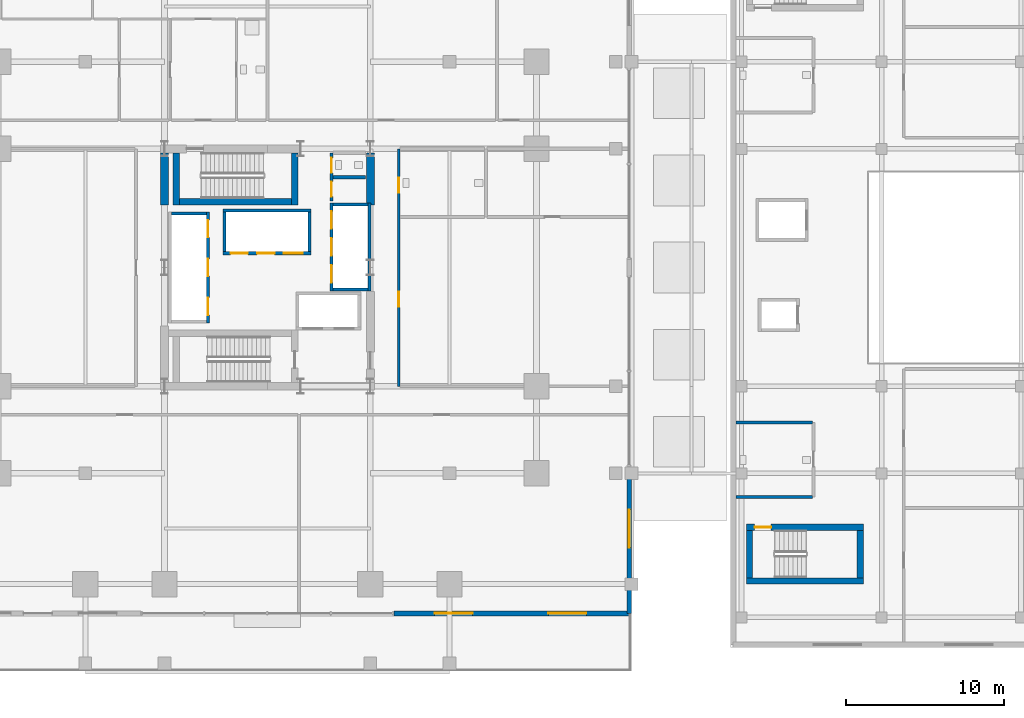
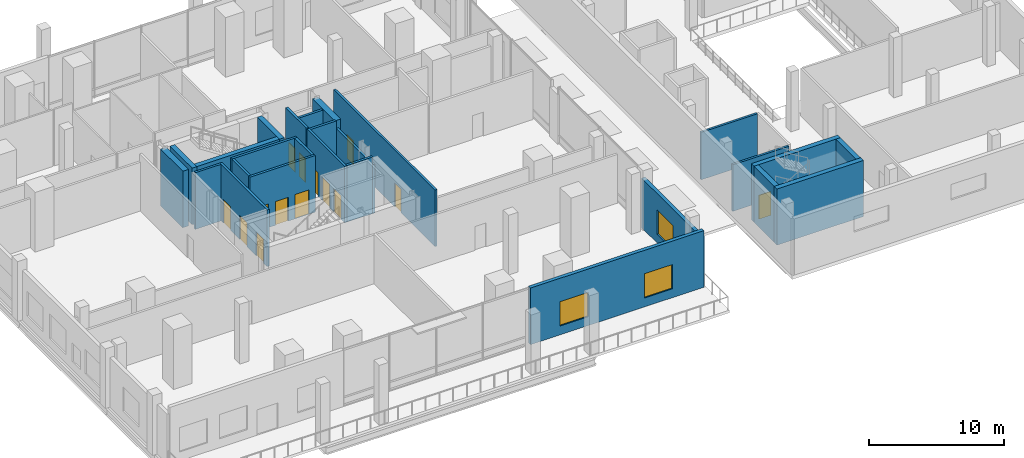
# One storey, part 26 of 36: 26 walls, 14 doors, 3 windows, 17 openings.
"""IFC4 building model written with IfcOpenShell, lengths in metres."""

import ifcopenshell
import ifcopenshell.guid

model = None  # the IFC model being written
_history = None  # IfcOwnerHistory: only IFC2X3 demands one
_inside = {}  # id of a spatial element -> (the spatial element, [elements in it])
_under = {}  # id of a project, library or spatial element -> (it, [spatial elements below it])
_declared = {}  # id of a project -> (the project, [libraries it declares])
_typed = {}  # id of a type object -> (the type object, [elements of that type])
_made_of = {}  # id of a material, layer set ... -> (it, [elements and type objects made of it])


def new_model(schema):
    """Start an empty IFC model of exactly this schema.

    Asked for "IFC4X3", IfcOpenShell would pick the latest addendum, in which some entities
    have other attributes; the version numbers below select the first issue.
    IFC2X3 requires an IfcOwnerHistory on every rooted entity: one is made here for all.
    """
    global model, _history
    if schema == "IFC4X3":
        model = ifcopenshell.file(schema_version=(4, 3, 0, 0))
    else:
        model = ifcopenshell.file(schema=schema)
    _inside.clear()
    _under.clear()
    _declared.clear()
    _typed.clear()
    _made_of.clear()
    _history = None
    if model.schema == "IFC2X3":
        org = make("IfcOrganization", Name="unknown")
        user = make(
            "IfcPersonAndOrganization",
            ThePerson=make("IfcPerson", FamilyName="unknown"),
            TheOrganization=org,
        )
        app = make(
            "IfcApplication",
            ApplicationDeveloper=org,
            Version="unknown",
            ApplicationFullName="unknown",
            ApplicationIdentifier="unknown",
        )
        _history = make(
            "IfcOwnerHistory",
            OwningUser=user,
            OwningApplication=app,
            ChangeAction="ADDED",
            CreationDate=0,
        )
    return model


def make(cls, **values):
    """One entity of the class cls with the attributes given. An attribute that is None is left unset."""
    return model.create_entity(
        cls, **{name: value for name, value in values.items() if value is not None}
    )


def rooted(cls, **values):
    """An entity with a GlobalId (a new one), such as an element, a storey or a relation."""
    return make(cls, GlobalId=ifcopenshell.guid.new(), OwnerHistory=_history, **values)


def si_unit(unit_type, name, prefix=None):
    """IfcSIUnit, for example si_unit("LENGTHUNIT", "METRE", prefix="MILLI")."""
    return make("IfcSIUnit", UnitType=unit_type, Prefix=prefix, Name=name)


def assignment(units):
    """IfcUnitAssignment: the units of a project."""
    return None if units is None else make("IfcUnitAssignment", Units=units)


def point(xyz):
    """IfcCartesianPoint."""
    return None if xyz is None else make("IfcCartesianPoint", Coordinates=xyz)


def direction(xyz):
    """IfcDirection."""
    return None if xyz is None else make("IfcDirection", DirectionRatios=xyz)


def frame(location, z_axis=None, x_axis=None):
    """IfcAxis2Placement3D, a coordinate frame: its origin and axes. An axis left out is left unset."""
    return make(
        "IfcAxis2Placement3D",
        Location=point(location),
        Axis=direction(z_axis),
        RefDirection=direction(x_axis),
    )


def frame_2d(location, x_axis=None):
    """IfcAxis2Placement2D, a coordinate frame in the plane: its origin and x axis."""
    return make(
        "IfcAxis2Placement2D", Location=point(location), RefDirection=direction(x_axis)
    )


def origin():
    """The frame at (0, 0, 0) with its axes left unset."""
    return frame((0.0, 0.0, 0.0))


def place(relative_to, where):
    """IfcLocalPlacement: puts the frame where relative to a parent placement (None: the world)."""
    return make(
        "IfcLocalPlacement", PlacementRelTo=relative_to, RelativePlacement=where
    )


def context(
    kind, dimensions, precision=None, world=None, true_north=None, identifier=None
):
    """IfcGeometricRepresentationContext, for example the 3D "Model" context."""
    return make(
        "IfcGeometricRepresentationContext",
        ContextIdentifier=identifier,
        ContextType=kind,
        CoordinateSpaceDimension=dimensions,
        Precision=precision,
        WorldCoordinateSystem=world,
        TrueNorth=true_north,
    )


def subcontext(parent, identifier, kind, view, scale=None):
    """IfcGeometricRepresentationSubContext, for example "Body" below "Model"."""
    return make(
        "IfcGeometricRepresentationSubContext",
        ContextIdentifier=identifier,
        ContextType=kind,
        ParentContext=parent,
        TargetScale=scale,
        TargetView=view,
    )


def project(units=None, contexts=None):
    """IfcProject with its units and contexts."""
    return rooted(
        "IfcProject",
        Name="project",
        RepresentationContexts=contexts,
        UnitsInContext=assignment(units),
    )


def spatial(cls, under=None, at=None, **own):
    """A site, building, storey or space (cls), placed at a placement, below another one or the project."""
    s = rooted(cls, ObjectPlacement=at, **own)
    if under is not None:
        _under.setdefault(under.id(), (under, []))[1].append(s)
    return s


def profile(cls, at=None, kind="AREA", **sizes):
    """A parametric profile (cls). Its sizes go by their IFC names, for example OverallWidth=200.0."""
    return make(cls, ProfileType=kind, Position=at, **sizes)


def rectangle(**sizes):
    """IfcRectangleProfileDef."""
    return profile("IfcRectangleProfileDef", **sizes)


def extrude(swept, where, along, depth):
    """IfcExtrudedAreaSolid: the profile swept, set in the frame where, extruded along a direction by depth."""
    return make(
        "IfcExtrudedAreaSolid",
        SweptArea=swept,
        Position=where,
        ExtrudedDirection=direction(along),
        Depth=depth,
    )


def shape(context_of_items, identifier, shape_type, items):
    """IfcShapeRepresentation: the items that make up one representation, for example the "Body"."""
    return make(
        "IfcShapeRepresentation",
        ContextOfItems=context_of_items,
        RepresentationIdentifier=identifier,
        RepresentationType=shape_type,
        Items=items,
    )


def material(Name=None, Category=None):
    """IfcMaterial."""
    return make("IfcMaterial", Name=Name, Category=Category)


def layer(
    of_material, thickness, ventilated=None, Name=None, Category=None, Priority=None
):
    """IfcMaterialLayer: one layer of a wall or slab, of a material (None: an air gap)."""
    return make(
        "IfcMaterialLayer",
        Material=of_material,
        LayerThickness=thickness,
        IsVentilated=ventilated,
        Name=Name,
        Category=Category,
        Priority=Priority,
    )


def layer_set(layers, Name=None):
    """IfcMaterialLayerSet."""
    return make("IfcMaterialLayerSet", MaterialLayers=layers, LayerSetName=Name)


def made_of(thing, what):
    """Note that an element or type object is made of a material, layer set ...; save() writes the relation."""
    if what is not None:
        _made_of.setdefault(what.id(), (what, []))[1].append(thing)
    return thing


def type_object(cls, material=None, **own):
    """A type object (cls), such as IfcWallType, which elements share."""
    return made_of(rooted(cls, **own), material)


def element(
    cls,
    number,
    at=None,
    inside=None,
    cuts=None,
    type_object=None,
    material=None,
    context=None,
    identifier="Body",
    shape_type=None,
    held_by="IfcProductDefinitionShape",
    body=None,
    shapes=None,
    **own,
):
    """One element of the class cls, such as IfcWall. Its Tag is "e" and its number.

    at: its placement. inside: the storey or other place that contains it. cuts: it is an
    opening in that element (IfcRelVoidsElement). A single representation is given by context,
    identifier, shape_type and body (its items); several are given by shapes. held_by: the class
    of the entity that holds the representations. save() writes the other relations.
    """
    e = rooted(cls, Tag="e%d" % number, ObjectPlacement=at, **own)
    if body is not None:
        shapes = [shape(context, identifier, shape_type, body)]
    if shapes is not None:
        e.Representation = make(held_by, Representations=shapes)
    if inside is not None:
        _inside.setdefault(inside.id(), (inside, []))[1].append(e)
    if cuts is not None:
        rooted(
            "IfcRelVoidsElement", RelatingBuildingElement=cuts, RelatedOpeningElement=e
        )
    if type_object is not None:
        _typed.setdefault(type_object.id(), (type_object, []))[1].append(e)
    return made_of(e, material)


def fill(opening, filler):
    """IfcRelFillsElement: the door or window that sits in an opening."""
    return rooted(
        "IfcRelFillsElement",
        RelatingOpeningElement=opening,
        RelatedBuildingElement=filler,
    )


def aggregate(whole, parts):
    """IfcRelAggregates: a whole, such as a stair, and the parts it consists of."""
    return rooted("IfcRelAggregates", RelatingObject=whole, RelatedObjects=parts)


def save(model, path):
    """Write the relations noted so far, then the file.

    IfcRelAggregates (storeys below a building ...), IfcRelContainedInSpatialStructure (elements
    in a storey), IfcRelDefinesByType, IfcRelAssociatesMaterial and IfcRelDeclares: one each for
    every whole, place, type object, material and project.
    """
    for whole, parts in _under.values():
        aggregate(whole, parts)
    for where, things in _inside.values():
        rooted(
            "IfcRelContainedInSpatialStructure",
            RelatedElements=things,
            RelatingStructure=where,
        )
    for kind, things in _typed.values():
        rooted("IfcRelDefinesByType", RelatedObjects=things, RelatingType=kind)
    for what, things in _made_of.values():
        rooted("IfcRelAssociatesMaterial", RelatedObjects=things, RelatingMaterial=what)
    for by, libraries in _declared.values():
        rooted("IfcRelDeclares", RelatingContext=by, RelatedDefinitions=libraries)
    model.write(path)


model = new_model("IFC4")

# Units and contexts
model_context = context("Model", 3, precision=1e-05, world=origin(), true_north=direction((0.0, 1.0)))
body_context = subcontext(model_context, "Body", "Model", "MODEL_VIEW")
ifc_project = project(units=[si_unit("LENGTHUNIT", "METRE"), si_unit("AREAUNIT", "SQUARE_METRE"), si_unit("VOLUMEUNIT", "CUBIC_METRE"), si_unit("PLANEANGLEUNIT", "RADIAN"), si_unit("MASSUNIT", "GRAM", prefix="KILO")], contexts=[model_context])

# Site, building, storey
site_placement = place(None, origin())
site = spatial("IfcSite", under=ifc_project, at=site_placement, CompositionType="ELEMENT")
building_placement = place(site_placement, origin())
building = spatial("IfcBuilding", under=site, at=building_placement, Name="Barlavira Tower and Art Museum", CompositionType="ELEMENT")
storey_placement = place(building_placement, frame((0.0, 0.0, 11.39990234375)))
storey = spatial("IfcBuildingStorey", under=building, at=storey_placement, Name="L02", CompositionType="ELEMENT", Elevation=11.39990234375)

# Walls
ifc_material_1 = material(Name="Concrete C60", Category="concrete")
ifc_layer_1 = layer(ifc_material_1, 0.5, Name="Concrete C60")
ifc_layer_set_1 = layer_set([ifc_layer_1], Name="Concrete C60")
wall_type_1 = type_object("IfcWallType", Name="Core Structural Shear Wall 500 Concrete C60", PredefinedType="SHEAR", material=ifc_layer_set_1)
for number, where, z_axis, x_axis, name in (
    (1, (-6.5, 3.949951171875, 0.0), (0.0, 0.0, 1.0), (0.0, 1.0, 0.0), "L02 Core Shear Wall CS-W2"),
    (2, (6.5, 3.949951171875, 0.0), (0.0, 0.0, 1.0), (0.0, 1.0, 0.0), "L02 Core Shear Wall CS-E2"),
):
    element("IfcWall", number, at=place(storey_placement, frame(where, z_axis=z_axis, x_axis=x_axis)), inside=storey, type_object=wall_type_1, Name=name, PredefinedType="SHEAR", context=body_context, shape_type="SweptSolid", body=[
        extrude(rectangle(XDim=3.300048828125, YDim=0.5, at=frame_2d((1.64990234375, 0.0))), origin(), (0.0, 0.0, 1.0), 5.1201171875),
    ])

# Wall, openings, doors
ifc_material_2 = material(Name="Autoclaved aerated concrete masonry", Category="masonry")
ifc_layer_2 = layer(ifc_material_2, 0.199951171875, Name="Autoclaved aerated concrete masonry")
ifc_layer_set_2 = layer_set([ifc_layer_2], Name="Autoclaved aerated concrete masonry")
wall_type_2 = type_object("IfcWallType", Name="Fire Compartment and Shaft Wall 200", PredefinedType="SOLIDWALL", material=ifc_layer_set_2)
wall_1_placement = place(storey_placement, frame((-3.75, -3.510009765625, 0.0), z_axis=(0.0, 0.0, 1.0), x_axis=(0.0, 1.0, 0.0)))
wall_1 = element("IfcWall", 3, at=wall_1_placement, inside=storey, type_object=wall_type_2, Name="L02 Low-Rise Lift Front Shaft Wall", PredefinedType="SOLIDWALL", context=body_context, shape_type="SweptSolid", body=[
    extrude(rectangle(XDim=7.02001953125, YDim=0.199951171875, at=frame_2d((3.510009765625, 0.0))), origin(), (0.0, 0.0, 1.0), 5.1201171875),
])
opening_1_placement = place(wall_1_placement, frame((0.510009765625, 0.0, 0.0)))
opening_1 = element("IfcOpeningElement", 4, at=opening_1_placement, cuts=wall_1, Name="Opening LD-P", PredefinedType="OPENING", context=body_context, shape_type="SweptSolid", body=[
    extrude(rectangle(XDim=1.10009765625, YDim=2.14990234375, at=frame_2d((0.550048828125, 1.074951171875))), frame((0.0, 0.10986328125, 0.0), z_axis=(0.0, -1.0, 0.0), x_axis=(1.0, 0.0, 0.0)), (0.0, 0.0, 1.0), 0.219970703125),
])
opening_2_placement = place(wall_1_placement, frame((2.9599609375, 0.0, 0.0)))
opening_2 = element("IfcOpeningElement", 5, at=opening_2_placement, cuts=wall_1, Name="Opening LD-P", PredefinedType="OPENING", context=body_context, shape_type="SweptSolid", body=[
    extrude(rectangle(XDim=1.10009765625, YDim=2.14990234375, at=frame_2d((0.550048828125, 1.074951171875))), frame((0.0, 0.10986328125, 0.0), z_axis=(0.0, -1.0, 0.0), x_axis=(1.0, 0.0, 0.0)), (0.0, 0.0, 1.0), 0.219970703125),
])
opening_3_placement = place(wall_1_placement, frame((5.409912109375, 0.0, 0.0)))
opening_3 = element("IfcOpeningElement", 6, at=opening_3_placement, cuts=wall_1, Name="Opening LD-P", PredefinedType="OPENING", context=body_context, shape_type="SweptSolid", body=[
    extrude(rectangle(XDim=1.10009765625, YDim=2.14990234375, at=frame_2d((0.550048828125, 1.074951171875))), frame((0.0, 0.10986328125, 0.0), z_axis=(0.0, -1.0, 0.0), x_axis=(1.0, 0.0, 0.0)), (0.0, 0.0, 1.0), 0.219970703125),
])
ifc_material_3 = material(Name="Brushed stainless steel", Category="steel")
door_type_1 = type_object("IfcDoorType", Name="Passenger Lift Sliding Landing Door 1100x2150 FD60", OperationType="NOTDEFINED", PredefinedType="DOOR", material=ifc_material_3)
door_1_placement = place(opening_1_placement, origin())
door_1 = element("IfcDoor", 7, at=door_1_placement, inside=storey, type_object=door_type_1, Name="L02 Lift PL1 Sliding Landing Door", OperationType="DOUBLE_DOOR_SLIDING", OverallHeight=2.14990234375, OverallWidth=1.10009765625, PredefinedType="DOOR", context=body_context, shape_type="SweptSolid", body=[
    extrude(rectangle(XDim=1.10009765625, YDim=2.14990234375, at=frame_2d((0.550048828125, 1.074951171875))), frame((0.0, 0.02490234375, 0.0), z_axis=(0.0, -1.0, 0.0), x_axis=(1.0, 0.0, 0.0)), (0.0, 0.0, 1.0), 0.050048828125),
])
fill(opening_1, door_1)
door_2_placement = place(opening_2_placement, origin())
door_2 = element("IfcDoor", 8, at=door_2_placement, inside=storey, type_object=door_type_1, Name="L02 Lift PL2 Sliding Landing Door", OperationType="DOUBLE_DOOR_SLIDING", OverallHeight=2.14990234375, OverallWidth=1.10009765625, PredefinedType="DOOR", context=body_context, shape_type="SweptSolid", body=[
    extrude(rectangle(XDim=1.10009765625, YDim=2.14990234375, at=frame_2d((0.550048828125, 1.074951171875))), frame((0.0, 0.02490234375, 0.0), z_axis=(0.0, -1.0, 0.0), x_axis=(1.0, 0.0, 0.0)), (0.0, 0.0, 1.0), 0.050048828125),
])
fill(opening_2, door_2)
door_3_placement = place(opening_3_placement, origin())
door_3 = element("IfcDoor", 9, at=door_3_placement, inside=storey, type_object=door_type_1, Name="L02 Lift PL3 Sliding Landing Door", OperationType="DOUBLE_DOOR_SLIDING", OverallHeight=2.14990234375, OverallWidth=1.10009765625, PredefinedType="DOOR", context=body_context, shape_type="SweptSolid", body=[
    extrude(rectangle(XDim=1.10009765625, YDim=2.14990234375, at=frame_2d((0.550048828125, 1.074951171875))), frame((0.0, 0.02490234375, 0.0), z_axis=(0.0, -1.0, 0.0), x_axis=(1.0, 0.0, 0.0)), (0.0, 0.0, 1.0), 0.050048828125),
])
fill(opening_3, door_3)

# Wall
wall_2_placement = place(storey_placement, frame((-6.050048828125, 3.409912109375, 0.0), z_axis=(0.0, 0.0, 1.0), x_axis=(1.0, 0.0, 0.0)))
element("IfcWall", 10, at=wall_2_placement, inside=storey, type_object=wall_type_2, Name="L02 Low-Rise Lift North Shaft Wall", PredefinedType="SOLIDWALL", context=body_context, shape_type="SweptSolid", body=[
    extrude(rectangle(XDim=2.199951171875, YDim=0.199951171875, at=frame_2d((1.10009765625, 0.0))), origin(), (0.0, 0.0, 1.0), 5.1201171875),
])

# Wall, openings, doors
wall_3_placement = place(storey_placement, frame((4.050048828125, -1.489990234375, 0.0), z_axis=(0.0, 0.0, 1.0), x_axis=(0.0, 1.0, 0.0)))
wall_3 = element("IfcWall", 11, at=wall_3_placement, inside=storey, type_object=wall_type_2, Name="L02 Mid-Rise Lift Front Shaft Wall", PredefinedType="SOLIDWALL", context=body_context, shape_type="SweptSolid", body=[
    extrude(rectangle(XDim=5.580078125, YDim=0.199951171875, at=frame_2d((2.7900390625, 0.0))), origin(), (0.0, 0.0, 1.0), 5.1201171875),
])
opening_4_placement = place(wall_3_placement, frame((0.5400390625, 0.0, 0.0)))
opening_4 = element("IfcOpeningElement", 12, at=opening_4_placement, cuts=wall_3, Name="Opening LD-P", PredefinedType="OPENING", context=body_context, shape_type="SweptSolid", body=[
    extrude(rectangle(XDim=1.10009765625, YDim=2.14990234375, at=frame_2d((0.550048828125, 1.074951171875))), frame((0.0, 0.10986328125, 0.0), z_axis=(0.0, -1.0, 0.0), x_axis=(1.0, 0.0, 0.0)), (0.0, 0.0, 1.0), 0.219970703125),
])
opening_5_placement = place(wall_3_placement, frame((2.239990234375, 0.0, 0.0)))
opening_5 = element("IfcOpeningElement", 13, at=opening_5_placement, cuts=wall_3, Name="Opening LD-P", PredefinedType="OPENING", context=body_context, shape_type="SweptSolid", body=[
    extrude(rectangle(XDim=1.10009765625, YDim=2.14990234375, at=frame_2d((0.550048828125, 1.074951171875))), frame((0.0, 0.10986328125, 0.0), z_axis=(0.0, -1.0, 0.0), x_axis=(1.0, 0.0, 0.0)), (0.0, 0.0, 1.0), 0.219970703125),
])
opening_6_placement = place(wall_3_placement, frame((3.93994140625, 0.0, 0.0)))
opening_6 = element("IfcOpeningElement", 14, at=opening_6_placement, cuts=wall_3, Name="Opening LD-P", PredefinedType="OPENING", context=body_context, shape_type="SweptSolid", body=[
    extrude(rectangle(XDim=1.10009765625, YDim=2.14990234375, at=frame_2d((0.550048828125, 1.074951171875))), frame((0.0, 0.10986328125, 0.0), z_axis=(0.0, -1.0, 0.0), x_axis=(1.0, 0.0, 0.0)), (0.0, 0.0, 1.0), 0.219970703125),
])
door_4_placement = place(opening_4_placement, origin())
door_4 = element("IfcDoor", 15, at=door_4_placement, inside=storey, type_object=door_type_1, Name="L02 Lift PM1 Sliding Landing Door", OperationType="DOUBLE_DOOR_SLIDING", OverallHeight=2.14990234375, OverallWidth=1.10009765625, PredefinedType="DOOR", context=body_context, shape_type="SweptSolid", body=[
    extrude(rectangle(XDim=1.10009765625, YDim=2.14990234375, at=frame_2d((0.550048828125, 1.074951171875))), frame((0.0, 0.02490234375, 0.0), z_axis=(0.0, -1.0, 0.0), x_axis=(1.0, 0.0, 0.0)), (0.0, 0.0, 1.0), 0.050048828125),
])
fill(opening_4, door_4)
door_5_placement = place(opening_5_placement, origin())
door_5 = element("IfcDoor", 16, at=door_5_placement, inside=storey, type_object=door_type_1, Name="L02 Lift PM2 Sliding Landing Door", OperationType="DOUBLE_DOOR_SLIDING", OverallHeight=2.14990234375, OverallWidth=1.10009765625, PredefinedType="DOOR", context=body_context, shape_type="SweptSolid", body=[
    extrude(rectangle(XDim=1.10009765625, YDim=2.14990234375, at=frame_2d((0.550048828125, 1.074951171875))), frame((0.0, 0.02490234375, 0.0), z_axis=(0.0, -1.0, 0.0), x_axis=(1.0, 0.0, 0.0)), (0.0, 0.0, 1.0), 0.050048828125),
])
fill(opening_5, door_5)
door_6_placement = place(opening_6_placement, origin())
door_6 = element("IfcDoor", 17, at=door_6_placement, inside=storey, type_object=door_type_1, Name="L02 Lift PM3 Sliding Landing Door", OperationType="DOUBLE_DOOR_SLIDING", OverallHeight=2.14990234375, OverallWidth=1.10009765625, PredefinedType="DOOR", context=body_context, shape_type="SweptSolid", body=[
    extrude(rectangle(XDim=1.10009765625, YDim=2.14990234375, at=frame_2d((0.550048828125, 1.074951171875))), frame((0.0, 0.02490234375, 0.0), z_axis=(0.0, -1.0, 0.0), x_axis=(1.0, 0.0, 0.0)), (0.0, 0.0, 1.0), 0.050048828125),
])
fill(opening_6, door_6)

# Walls
wall_4_placement = place(storey_placement, frame((6.449951171875, -1.489990234375, 0.0), z_axis=(0.0, 0.0, 1.0), x_axis=(0.0, 1.0, 0.0)))
element("IfcWall", 18, at=wall_4_placement, inside=storey, type_object=wall_type_2, Name="L02 Mid-Rise Lift Back Shaft Wall", PredefinedType="SOLIDWALL", context=body_context, shape_type="SweptSolid", body=[
    extrude(rectangle(XDim=5.580078125, YDim=0.199951171875, at=frame_2d((2.7900390625, 0.0))), origin(), (0.0, 0.0, 1.0), 4.41015625),
])
for number, where, z_axis, x_axis, name in (
    (19, (4.14990234375, -1.389892578125, 0.0), (0.0, 0.0, 1.0), (1.0, 0.0, 0.0), "L02 Mid-Rise Lift South Shaft Wall"),
    (20, (4.14990234375, 3.989990234375, 0.0), (0.0, 0.0, 1.0), (1.0, 0.0, 0.0), "L02 Mid-Rise Lift North Shaft Wall"),
):
    element("IfcWall", number, at=place(storey_placement, frame(where, z_axis=z_axis, x_axis=x_axis)), inside=storey, type_object=wall_type_2, Name=name, PredefinedType="SOLIDWALL", context=body_context, shape_type="SweptSolid", body=[
        extrude(rectangle(XDim=2.2001953125, YDim=0.199951171875, at=frame_2d((1.10009765625, 0.0))), origin(), (0.0, 0.0, 1.0), 5.1201171875),
    ])

# Wall, openings, doors
wall_5_placement = place(storey_placement, frame((-2.820068359375, 0.89990234375, 0.0), z_axis=(0.0, 0.0, 1.0), x_axis=(1.0, 0.0, 0.0)))
wall_5 = element("IfcWall", 21, at=wall_5_placement, inside=storey, type_object=wall_type_2, Name="L02 High-Rise & Service Lift Front Wall", PredefinedType="SOLIDWALL", context=body_context, shape_type="SweptSolid", body=[
    extrude(rectangle(XDim=5.580078125, YDim=0.199951171875, at=frame_2d((2.7900390625, 0.0))), origin(), (0.0, 0.0, 1.0), 5.1201171875),
])
opening_7_placement = place(wall_5_placement, frame((0.489990234375, 0.0, 0.0)))
opening_7 = element("IfcOpeningElement", 22, at=opening_7_placement, cuts=wall_5, Name="Opening LD-P", PredefinedType="OPENING", context=body_context, shape_type="SweptSolid", body=[
    extrude(rectangle(XDim=1.10009765625, YDim=2.14990234375, at=frame_2d((0.550048828125, 1.074951171875))), frame((0.0, 0.10986328125, 0.0), z_axis=(0.0, -1.0, 0.0), x_axis=(1.0, 0.0, 0.0)), (0.0, 0.0, 1.0), 0.219970703125),
])
opening_8_placement = place(wall_5_placement, frame((2.169921875, 0.0, 0.0)))
opening_8 = element("IfcOpeningElement", 23, at=opening_8_placement, cuts=wall_5, Name="Opening LD-P", PredefinedType="OPENING", context=body_context, shape_type="SweptSolid", body=[
    extrude(rectangle(XDim=1.10009765625, YDim=2.14990234375, at=frame_2d((0.550048828125, 1.074951171875))), frame((0.0, 0.10986328125, 0.0), z_axis=(0.0, -1.0, 0.0), x_axis=(1.0, 0.0, 0.0)), (0.0, 0.0, 1.0), 0.219970703125),
])
opening_9_placement = place(wall_5_placement, frame((3.860107421875, 0.0, 0.0)))
opening_9 = element("IfcOpeningElement", 24, at=opening_9_placement, cuts=wall_5, Name="Opening LD-F", PredefinedType="OPENING", context=body_context, shape_type="SweptSolid", body=[
    extrude(rectangle(XDim=1.199951171875, YDim=2.199951171875, at=frame_2d((0.60009765625, 1.10009765625))), frame((0.0, 0.10986328125, 0.0), z_axis=(0.0, -1.0, 0.0), x_axis=(1.0, 0.0, 0.0)), (0.0, 0.0, 1.0), 0.219970703125),
])
door_type_2 = type_object("IfcDoorType", Name="Firefighting and Service Lift Sliding Door 1200x2200 FD120", OperationType="NOTDEFINED", PredefinedType="DOOR", material=ifc_material_3)
door_7_placement = place(opening_9_placement, origin())
door_7 = element("IfcDoor", 25, at=door_7_placement, inside=storey, type_object=door_type_2, Name="L02 Stretcher Service Lift SL1 Sliding Door", OperationType="DOUBLE_DOOR_SLIDING", OverallHeight=2.199951171875, OverallWidth=1.199951171875, PredefinedType="DOOR", context=body_context, shape_type="SweptSolid", body=[
    extrude(rectangle(XDim=1.199951171875, YDim=2.199951171875, at=frame_2d((0.60009765625, 1.10009765625))), frame((0.0, 0.02490234375, 0.0), z_axis=(0.0, -1.0, 0.0), x_axis=(1.0, 0.0, 0.0)), (0.0, 0.0, 1.0), 0.050048828125),
])
fill(opening_9, door_7)
door_8_placement = place(opening_7_placement, origin())
door_8 = element("IfcDoor", 26, at=door_8_placement, inside=storey, type_object=door_type_1, Name="L02 Lift PH1 Sliding Landing Door", OperationType="DOUBLE_DOOR_SLIDING", OverallHeight=2.14990234375, OverallWidth=1.10009765625, PredefinedType="DOOR", context=body_context, shape_type="SweptSolid", body=[
    extrude(rectangle(XDim=1.10009765625, YDim=2.14990234375, at=frame_2d((0.550048828125, 1.074951171875))), frame((0.0, 0.02490234375, 0.0), z_axis=(0.0, -1.0, 0.0), x_axis=(1.0, 0.0, 0.0)), (0.0, 0.0, 1.0), 0.050048828125),
])
fill(opening_7, door_8)
door_9_placement = place(opening_8_placement, origin())
door_9 = element("IfcDoor", 27, at=door_9_placement, inside=storey, type_object=door_type_1, Name="L02 Lift PH2 Sliding Landing Door", OperationType="DOUBLE_DOOR_SLIDING", OverallHeight=2.14990234375, OverallWidth=1.10009765625, PredefinedType="DOOR", context=body_context, shape_type="SweptSolid", body=[
    extrude(rectangle(XDim=1.10009765625, YDim=2.14990234375, at=frame_2d((0.550048828125, 1.074951171875))), frame((0.0, 0.02490234375, 0.0), z_axis=(0.0, -1.0, 0.0), x_axis=(1.0, 0.0, 0.0)), (0.0, 0.0, 1.0), 0.050048828125),
])
fill(opening_8, door_9)

# Walls
wall_6_placement = place(storey_placement, frame((-2.820068359375, 3.60009765625, 0.0), z_axis=(0.0, 0.0, 1.0), x_axis=(1.0, 0.0, 0.0)))
element("IfcWall", 28, at=wall_6_placement, inside=storey, type_object=wall_type_2, Name="L02 High-Rise & Service Lift Back Wall", PredefinedType="SOLIDWALL", context=body_context, shape_type="SweptSolid", body=[
    extrude(rectangle(XDim=5.580078125, YDim=0.199951171875, at=frame_2d((2.7900390625, 0.0))), origin(), (0.0, 0.0, 1.0), 5.1201171875),
])
for number, where, z_axis, x_axis, name in (
    (29, (-2.719970703125, 1.0, 0.0), (0.0, 0.0, 1.0), (0.0, 1.0, 0.0), "L02 High-Rise & Service Lift West Wall"),
    (30, (2.659912109375, 1.0, 0.0), (0.0, 0.0, 1.0), (0.0, 1.0, 0.0), "L02 High-Rise & Service Lift East Wall"),
):
    element("IfcWall", number, at=place(storey_placement, frame(where, z_axis=z_axis, x_axis=x_axis)), inside=storey, type_object=wall_type_2, Name=name, PredefinedType="SOLIDWALL", context=body_context, shape_type="SweptSolid", body=[
        extrude(rectangle(XDim=2.5, YDim=0.199951171875, at=frame_2d((1.25, 0.0))), origin(), (0.0, 0.0, 1.0), 5.1201171875),
    ])

# Wall, openings, doors
wall_7_placement = place(storey_placement, frame((4.050048828125, 4.199951171875, 0.0), z_axis=(0.0, 0.0, 1.0), x_axis=(0.0, 1.0, 0.0)))
wall_7 = element("IfcWall", 31, at=wall_7_placement, inside=storey, type_object=wall_type_2, Name="L02 Partition Wall 9", PredefinedType="SOLIDWALL", context=body_context, shape_type="SweptSolid", body=[
    extrude(rectangle(XDim=3.050048828125, YDim=0.199951171875, at=frame_2d((1.52490234375, 0.0))), origin(), (0.0, 0.0, 1.0), 5.1201171875),
])
opening_10_placement = place(wall_7_placement, frame((0.27490234375, 0.0, 0.0)))
opening_10 = element("IfcOpeningElement", 32, at=opening_10_placement, cuts=wall_7, Name="Opening FD-60", PredefinedType="OPENING", context=body_context, shape_type="SweptSolid", body=[
    extrude(rectangle(XDim=0.949951171875, YDim=2.14990234375, at=frame_2d((0.47509765625, 1.074951171875))), frame((0.0, 0.10986328125, 0.0), z_axis=(0.0, -1.0, 0.0), x_axis=(1.0, 0.0, 0.0)), (0.0, 0.0, 1.0), 0.219970703125),
])
opening_11_placement = place(wall_7_placement, frame((1.77490234375, 0.0, 0.0)))
opening_11 = element("IfcOpeningElement", 33, at=opening_11_placement, cuts=wall_7, Name="Opening FD-60", PredefinedType="OPENING", context=body_context, shape_type="SweptSolid", body=[
    extrude(rectangle(XDim=0.949951171875, YDim=2.14990234375, at=frame_2d((0.47509765625, 1.074951171875))), frame((0.0, 0.10986328125, 0.0), z_axis=(0.0, -1.0, 0.0), x_axis=(1.0, 0.0, 0.0)), (0.0, 0.0, 1.0), 0.219970703125),
])
door_type_3 = type_object("IfcDoorType", Name="Apartment Entrance and Riser Fire Door 950x2150 FD60S", OperationType="NOTDEFINED", PredefinedType="DOOR", material=ifc_material_3)
door_10_placement = place(opening_10_placement, origin())
door_10 = element("IfcDoor", 34, at=door_10_placement, inside=storey, type_object=door_type_3, Name="Electrical Switchgear Room Door", OperationType="SINGLE_SWING_RIGHT", OverallHeight=2.14990234375, OverallWidth=0.949951171875, PredefinedType="DOOR", context=body_context, shape_type="SweptSolid", body=[
    extrude(rectangle(XDim=0.949951171875, YDim=2.14990234375, at=frame_2d((0.47509765625, 1.074951171875))), frame((0.0, 0.02490234375, 0.0), z_axis=(0.0, -1.0, 0.0), x_axis=(1.0, 0.0, 0.0)), (0.0, 0.0, 1.0), 0.050048828125),
])
fill(opening_10, door_10)
door_11_placement = place(opening_11_placement, origin())
door_11 = element("IfcDoor", 35, at=door_11_placement, inside=storey, type_object=door_type_3, Name="Core Staff Toilet Door", OperationType="SINGLE_SWING_LEFT", OverallHeight=2.14990234375, OverallWidth=0.949951171875, PredefinedType="DOOR", context=body_context, shape_type="SweptSolid", body=[
    extrude(rectangle(XDim=0.949951171875, YDim=2.14990234375, at=frame_2d((0.47509765625, 1.074951171875))), frame((0.0, 0.02490234375, 0.0), z_axis=(0.0, -1.0, 0.0), x_axis=(1.0, 0.0, 0.0)), (0.0, 0.0, 1.0), 0.050048828125),
])
fill(opening_11, door_11)

# Wall
wall_8_placement = place(storey_placement, frame((4.1298828125, 5.699951171875, 0.0), z_axis=(0.0, 0.0, 1.0), x_axis=(1.0, 0.0, 0.0)))
element("IfcWall", 36, at=wall_8_placement, inside=storey, type_object=wall_type_2, Name="L02 Partition Wall 29", PredefinedType="SOLIDWALL", context=body_context, shape_type="SweptSolid", body=[
    extrude(rectangle(XDim=2.070068359375, YDim=0.199951171875, at=frame_2d((1.03515625, 0.0))), origin(), (0.0, 0.0, 1.0), 5.1201171875),
])

# Wall, openings, doors
ifc_material_4 = material(Name="Gypsum acoustic stud partition", Category="gypsum")
ifc_layer_3 = layer(ifc_material_4, 0.179931640625, Name="Gypsum acoustic stud partition")
ifc_layer_set_3 = layer_set([ifc_layer_3], Name="Gypsum acoustic stud partition")
wall_type_3 = type_object("IfcWallType", Name="Inter-Tenancy Party Partition Wall 180", PredefinedType="PARTITIONING", material=ifc_layer_set_3)
wall_9_placement = place(storey_placement, frame((8.300048828125, -7.5, 0.0), z_axis=(0.0, 0.0, 1.0), x_axis=(0.0, 1.0, 0.0)))
wall_9 = element("IfcWall", 37, at=wall_9_placement, inside=storey, type_object=wall_type_3, Name="L02 Partition Wall 10", PredefinedType="PARTITIONING", context=body_context, shape_type="SweptSolid", body=[
    extrude(rectangle(XDim=15.0, YDim=0.179931640625, at=frame_2d((7.5, 0.0))), origin(), (0.0, 0.0, 1.0), 5.1201171875),
])
opening_12_placement = place(wall_9_placement, frame((5.02490234375, 0.0, 0.0)))
opening_12 = element("IfcOpeningElement", 38, at=opening_12_placement, cuts=wall_9, Name="Opening FD-60", PredefinedType="OPENING", context=body_context, shape_type="SweptSolid", body=[
    extrude(rectangle(XDim=0.949951171875, YDim=2.14990234375, at=frame_2d((0.47509765625, 1.074951171875))), frame((0.0, 0.10009765625, 0.0), z_axis=(0.0, -1.0, 0.0), x_axis=(1.0, 0.0, 0.0)), (0.0, 0.0, 1.0), 0.199951171875),
])
opening_13_placement = place(wall_9_placement, frame((12.22509765625, 0.0, 0.0)))
opening_13 = element("IfcOpeningElement", 39, at=opening_13_placement, cuts=wall_9, Name="Opening FD-60", PredefinedType="OPENING", context=body_context, shape_type="SweptSolid", body=[
    extrude(rectangle(XDim=0.949951171875, YDim=2.14990234375, at=frame_2d((0.47509765625, 1.074951171875))), frame((0.0, 0.10009765625, 0.0), z_axis=(0.0, -1.0, 0.0), x_axis=(1.0, 0.0, 0.0)), (0.0, 0.0, 1.0), 0.199951171875),
])
door_12_placement = place(opening_12_placement, origin())
door_12 = element("IfcDoor", 40, at=door_12_placement, inside=storey, type_object=door_type_3, Name="L02 East Arcade Overlook Salon Door", OperationType="SINGLE_SWING_RIGHT", OverallHeight=2.14990234375, OverallWidth=0.949951171875, PredefinedType="DOOR", context=body_context, shape_type="SweptSolid", body=[
    extrude(rectangle(XDim=0.949951171875, YDim=2.14990234375, at=frame_2d((0.47509765625, 1.074951171875))), frame((0.0, 0.02490234375, 0.0), z_axis=(0.0, -1.0, 0.0), x_axis=(1.0, 0.0, 0.0)), (0.0, 0.0, 1.0), 0.050048828125),
])
fill(opening_12, door_12)
door_13_placement = place(opening_13_placement, origin())
door_13 = element("IfcDoor", 41, at=door_13_placement, inside=storey, type_object=door_type_3, Name="L02 Podium Accessible Restroom Door", OperationType="SINGLE_SWING_LEFT", OverallHeight=2.14990234375, OverallWidth=0.949951171875, PredefinedType="DOOR", context=body_context, shape_type="SweptSolid", body=[
    extrude(rectangle(XDim=0.949951171875, YDim=2.14990234375, at=frame_2d((0.47509765625, 1.074951171875))), frame((0.0, 0.02490234375, 0.0), z_axis=(0.0, -1.0, 0.0), x_axis=(1.0, 0.0, 0.0)), (0.0, 0.0, 1.0), 0.050048828125),
])
fill(opening_13, door_13)

# Walls
wall_10_placement = place(storey_placement, frame((29.60498046875, -14.5, 0.0), z_axis=(0.0, 0.0, 1.0), x_axis=(1.0, 0.0, 0.0)))
element("IfcWall", 42, at=wall_10_placement, inside=storey, type_object=wall_type_3, Name="L02 Partition Wall 19", PredefinedType="PARTITIONING", context=body_context, shape_type="SweptSolid", body=[
    extrude(rectangle(XDim=4.81494140625, YDim=0.179931640625, at=frame_2d((2.407470703125, 0.0))), origin(), (0.0, 0.0, 1.0), 4.214111328125),
])
wall_11_placement = place(storey_placement, frame((29.60498046875, -9.800048828125, 0.0), z_axis=(0.0, 0.0, 1.0), x_axis=(1.0, 0.0, 0.0)))
element("IfcWall", 43, at=wall_11_placement, inside=storey, type_object=wall_type_3, Name="L02 Partition Wall 20", PredefinedType="PARTITIONING", context=body_context, shape_type="SweptSolid", body=[
    extrude(rectangle(XDim=4.81494140625, YDim=0.179931640625, at=frame_2d((2.407470703125, 0.0))), origin(), (0.0, 0.0, 1.0), 4.297119140625),
])

# Wall, opening, window
ifc_material_5 = material(Name="Precast concrete C40", Category="concrete")
ifc_layer_4 = layer(ifc_material_5, 0.300048828125, Name="Precast concrete C40")
ifc_layer_set_4 = layer_set([ifc_layer_4], Name="Precast concrete C40")
wall_type_4 = type_object("IfcWallType", Name="Podium Architectural Precast Facade Wall 300 Concrete C40", PredefinedType="SOLIDWALL", material=ifc_layer_set_4)
wall_12_placement = place(storey_placement, frame((22.85009765625, -13.0, 0.0), z_axis=(0.0, 0.0, 1.0), x_axis=(0.0, -1.0, 0.0)))
wall_12 = element("IfcWall", 44, at=wall_12_placement, inside=storey, type_object=wall_type_4, Name="L02 Podium East-South Wall", PredefinedType="SOLIDWALL", context=body_context, shape_type="SweptSolid", body=[
    extrude(rectangle(XDim=8.85009765625, YDim=0.300048828125, at=frame_2d((4.425048828125, 0.0))), origin(), (0.0, 0.0, 1.0), 4.47607421875),
])
opening_14_placement = place(wall_12_placement, frame((2.300048828125, 0.0, 0.800048828125)))
opening_14 = element("IfcOpeningElement", 45, at=opening_14_placement, cuts=wall_12, Name="Opening WN-02", PredefinedType="OPENING", context=body_context, shape_type="SweptSolid", body=[
    extrude(rectangle(XDim=2.39990234375, YDim=2.199951171875, at=frame_2d((1.199951171875, 1.10009765625))), frame((0.0, 0.16015625, 0.0), z_axis=(0.0, -1.0, 0.0), x_axis=(1.0, 0.0, 0.0)), (0.0, 0.0, 1.0), 0.320068359375),
])
ifc_material_6 = material(Name="Low-iron coastal laminated glass", Category="glass")
window_type = type_object("IfcWindowType", Name="Podium Garden Gallery Window 2400x2200", PartitioningType="SINGLE_PANEL", PredefinedType="WINDOW", material=ifc_material_6)
window_1_placement = place(opening_14_placement, origin())
window_1 = element("IfcWindow", 46, at=window_1_placement, inside=storey, type_object=window_type, Name="L02 Punched Facade Window EW-L02-ES-1", OverallHeight=2.199951171875, OverallWidth=2.39990234375, PartitioningType="SINGLE_PANEL", PredefinedType="WINDOW", context=body_context, shape_type="SweptSolid", body=[
    extrude(rectangle(XDim=2.39990234375, YDim=2.199951171875, at=frame_2d((1.199951171875, 1.10009765625))), frame((0.0, 0.030029296875, 0.0), z_axis=(0.0, -1.0, 0.0), x_axis=(1.0, 0.0, 0.0)), (0.0, 0.0, 1.0), 0.06005859375),
])
fill(opening_14, window_1)

# Wall, openings, windows
wall_13_placement = place(storey_placement, frame((22.85009765625, -21.85009765625, 0.0), z_axis=(0.0, 0.0, 1.0), x_axis=(-1.0, 0.0, 0.0)))
wall_13 = element("IfcWall", 47, at=wall_13_placement, inside=storey, type_object=wall_type_4, Name="L02 Podium South-East Wall", PredefinedType="SOLIDWALL", context=body_context, shape_type="SweptSolid", body=[
    extrude(rectangle(XDim=14.85009765625, YDim=0.300048828125, at=frame_2d((7.425048828125, 0.0))), origin(), (0.0, 0.0, 1.0), 5.1201171875),
])
opening_15_placement = place(wall_13_placement, frame((2.705078125, 0.0, 0.800048828125)))
opening_15 = element("IfcOpeningElement", 48, at=opening_15_placement, cuts=wall_13, Name="Opening WN-02", PredefinedType="OPENING", context=body_context, shape_type="SweptSolid", body=[
    extrude(rectangle(XDim=2.39990234375, YDim=2.199951171875, at=frame_2d((1.199951171875, 1.10009765625))), frame((0.0, 0.16015625, 0.0), z_axis=(0.0, -1.0, 0.0), x_axis=(1.0, 0.0, 0.0)), (0.0, 0.0, 1.0), 0.320068359375),
])
opening_16_placement = place(wall_13_placement, frame((9.89501953125, 0.0, 0.800048828125)))
opening_16 = element("IfcOpeningElement", 49, at=opening_16_placement, cuts=wall_13, Name="Opening WN-02", PredefinedType="OPENING", context=body_context, shape_type="SweptSolid", body=[
    extrude(rectangle(XDim=2.39990234375, YDim=2.199951171875, at=frame_2d((1.199951171875, 1.10009765625))), frame((0.0, 0.16015625, 0.0), z_axis=(0.0, -1.0, 0.0), x_axis=(1.0, 0.0, 0.0)), (0.0, 0.0, 1.0), 0.320068359375),
])
window_2_placement = place(opening_15_placement, origin())
window_2 = element("IfcWindow", 50, at=window_2_placement, inside=storey, type_object=window_type, Name="L02 Punched Facade Window EW-L02-SE-1", OverallHeight=2.199951171875, OverallWidth=2.39990234375, PartitioningType="SINGLE_PANEL", PredefinedType="WINDOW", context=body_context, shape_type="SweptSolid", body=[
    extrude(rectangle(XDim=2.39990234375, YDim=2.199951171875, at=frame_2d((1.199951171875, 1.10009765625))), frame((0.0, 0.030029296875, 0.0), z_axis=(0.0, -1.0, 0.0), x_axis=(1.0, 0.0, 0.0)), (0.0, 0.0, 1.0), 0.06005859375),
])
fill(opening_15, window_2)
window_3_placement = place(opening_16_placement, origin())
window_3 = element("IfcWindow", 51, at=window_3_placement, inside=storey, type_object=window_type, Name="L02 Punched Facade Window EW-L02-SE-2", OverallHeight=2.199951171875, OverallWidth=2.39990234375, PartitioningType="SINGLE_PANEL", PredefinedType="WINDOW", context=body_context, shape_type="SweptSolid", body=[
    extrude(rectangle(XDim=2.39990234375, YDim=2.199951171875, at=frame_2d((1.199951171875, 1.10009765625))), frame((0.0, 0.030029296875, 0.0), z_axis=(0.0, -1.0, 0.0), x_axis=(1.0, 0.0, 0.0)), (0.0, 0.0, 1.0), 0.06005859375),
])
fill(opening_16, window_3)

# Walls
ifc_material_7 = material(Name="Concrete C55", Category="concrete")
ifc_layer_5 = layer(ifc_material_7, 0.39990234375, Name="Concrete C55")
ifc_layer_set_5 = layer_set([ifc_layer_5], Name="Concrete C55")
wall_type_5 = type_object("IfcWallType", Name="Upper Core Shear Wall 400 Concrete C55", PredefinedType="SHEAR", material=ifc_layer_set_5)
wall_14_placement = place(storey_placement, frame((-5.550048828125, 4.14990234375, 0.0), z_axis=(0.0, 0.0, 1.0), x_axis=(1.0, 0.0, 0.0)))
element("IfcWall", 52, at=wall_14_placement, inside=storey, type_object=wall_type_5, Name="L02 ST-T2 South Shaft Wall", PredefinedType="SHEAR", context=body_context, shape_type="SweptSolid", body=[
    extrude(rectangle(XDim=7.080078125, YDim=0.39990234375, at=frame_2d((3.5400390625, 0.0))), origin(), (0.0, 0.0, 1.0), 5.1201171875),
])
for number, where, z_axis, x_axis, name in (
    (53, (1.72998046875, 3.949951171875, 0.0), (0.0, 0.0, 1.0), (0.0, 1.0, 0.0), "L02 ST-T2 East Half-Landing Wall"),
    (54, (-5.75, 3.949951171875, 0.0), (0.0, 0.0, 1.0), (0.0, 1.0, 0.0), "L02 ST-T2 West Shaft Wall"),
):
    element("IfcWall", number, at=place(storey_placement, frame(where, z_axis=z_axis, x_axis=x_axis)), inside=storey, type_object=wall_type_5, Name=name, PredefinedType="SHEAR", context=body_context, shape_type="SweptSolid", body=[
        extrude(rectangle(XDim=3.300048828125, YDim=0.39990234375, at=frame_2d((1.64990234375, 0.0))), origin(), (0.0, 0.0, 1.0), 5.1201171875),
    ])
wall_15_placement = place(storey_placement, frame((37.64990234375, -19.800048828125, 0.0), z_axis=(0.0, 0.0, 1.0), x_axis=(-1.0, 0.0, 0.0)))
element("IfcWall", 55, at=wall_15_placement, inside=storey, type_object=wall_type_5, Name="L02 ST-M1 South Shaft Wall", PredefinedType="SHEAR", context=body_context, shape_type="SweptSolid", body=[
    extrude(rectangle(XDim=7.39990234375, YDim=0.39990234375, at=frame_2d((3.699951171875, 0.0))), origin(), (0.0, 0.0, 1.0), 5.080078125),
])
for number, where, z_axis, x_axis, name in (
    (56, (37.449951171875, -19.60009765625, 0.0), (0.0, 0.0, 1.0), (0.0, 1.0, 0.0), "L02 ST-M1 East Half-Landing Wall"),
    (57, (30.449951171875, -19.60009765625, 0.0), (0.0, 0.0, 1.0), (0.0, 1.0, 0.0), "L02 ST-M1 West Shaft Wall"),
):
    element("IfcWall", number, at=place(storey_placement, frame(where, z_axis=z_axis, x_axis=x_axis)), inside=storey, type_object=wall_type_5, Name=name, PredefinedType="SHEAR", context=body_context, shape_type="SweptSolid", body=[
        extrude(rectangle(XDim=3.0, YDim=0.39990234375, at=frame_2d((1.5, 0.0))), origin(), (0.0, 0.0, 1.0), 5.080078125),
    ])

# Wall, opening, door
wall_16_placement = place(storey_placement, frame((30.25, -16.39990234375, 0.0), z_axis=(0.0, 0.0, 1.0), x_axis=(1.0, 0.0, 0.0)))
wall_16 = element("IfcWall", 58, at=wall_16_placement, inside=storey, type_object=wall_type_5, Name="L02 ST-M1 North Landing Wall", PredefinedType="SHEAR", context=body_context, shape_type="SweptSolid", body=[
    extrude(rectangle(XDim=7.39990234375, YDim=0.39990234375, at=frame_2d((3.699951171875, 0.0))), origin(), (0.0, 0.0, 1.0), 5.080078125),
])
opening_17_placement = place(wall_16_placement, frame((0.52001953125, 0.0, 0.0)))
opening_17 = element("IfcOpeningElement", 59, at=opening_17_placement, cuts=wall_16, Name="Opening FD-90", PredefinedType="OPENING", context=body_context, shape_type="SweptSolid", body=[
    extrude(rectangle(XDim=1.050048828125, YDim=2.14990234375, at=frame_2d((0.52490234375, 1.074951171875))), frame((0.0, 0.2099609375, 0.0), z_axis=(0.0, -1.0, 0.0), x_axis=(1.0, 0.0, 0.0)), (0.0, 0.0, 1.0), 0.419921875),
])
door_type_4 = type_object("IfcDoorType", Name="Stair and Refuge Fire Door 1050x2150 FD90S", OperationType="NOTDEFINED", PredefinedType="DOOR", material=ifc_material_3)
door_14_placement = place(opening_17_placement, origin())
door_14 = element("IfcDoor", 60, at=door_14_placement, inside=storey, type_object=door_type_4, Name="L02 Museum South Stair ST-M1 Fire Door", OperationType="SINGLE_SWING_LEFT", OverallHeight=2.14990234375, OverallWidth=1.050048828125, PredefinedType="DOOR", context=body_context, shape_type="SweptSolid", body=[
    extrude(rectangle(XDim=1.050048828125, YDim=2.14990234375, at=frame_2d((0.52490234375, 1.074951171875))), frame((0.0, 0.02490234375, 0.0), z_axis=(0.0, -1.0, 0.0), x_axis=(1.0, 0.0, 0.0)), (0.0, 0.0, 1.0), 0.050048828125),
])
fill(opening_17, door_14)

save(model, "model.ifc")
